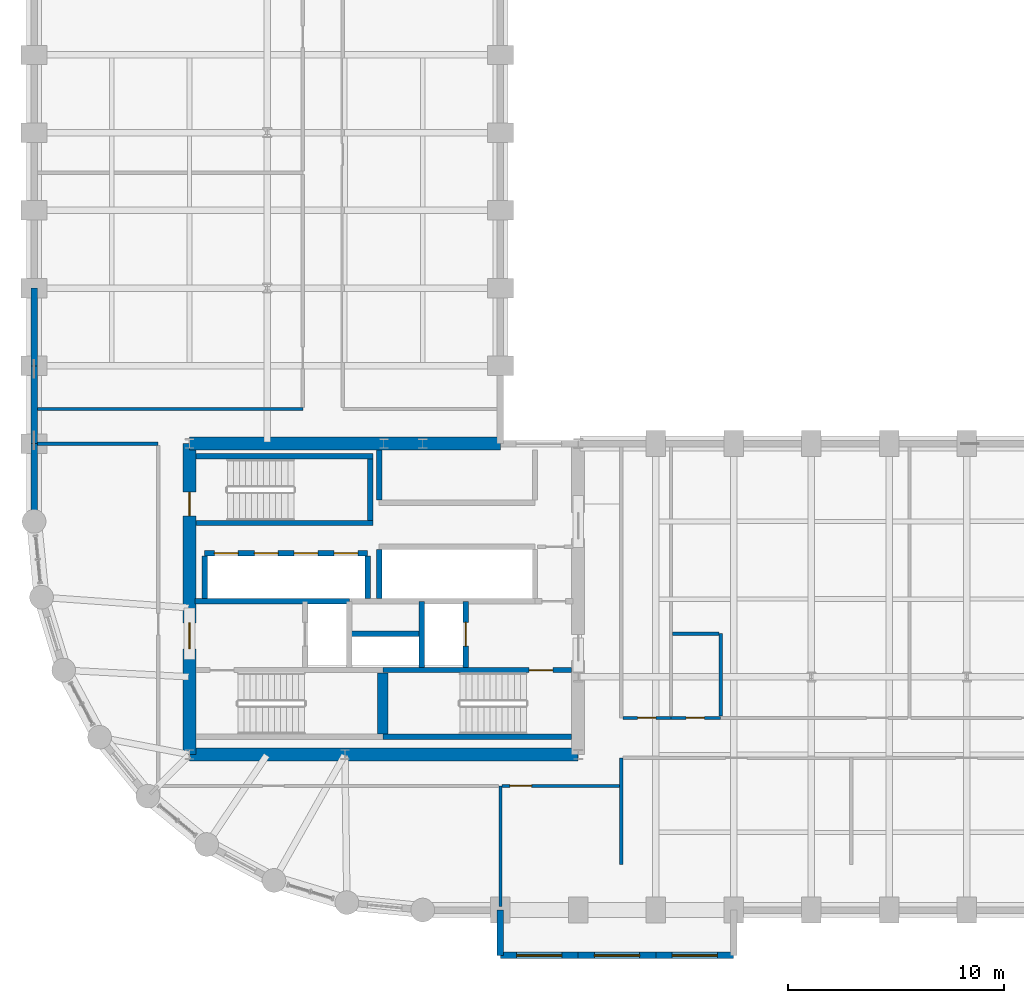
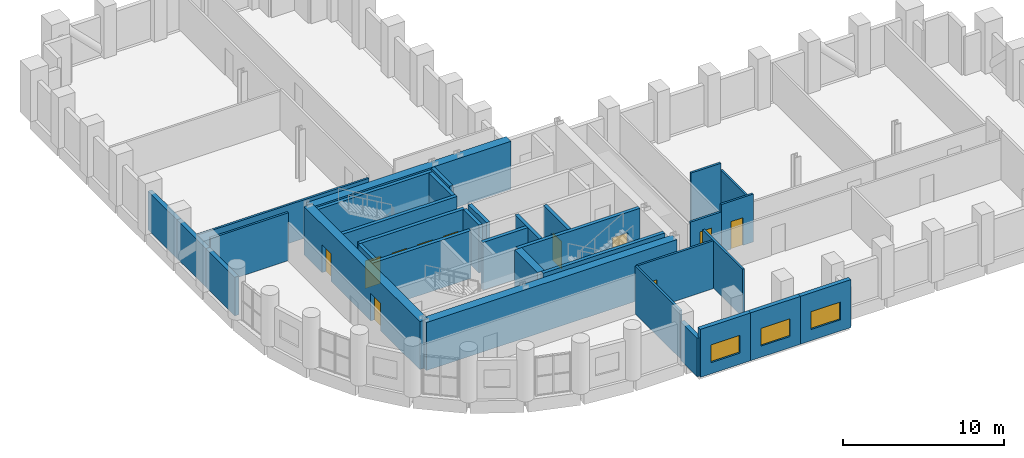
# One storey, part 9 of 12: 34 walls, 11 doors, 3 windows, 14 openings.
"""IFC4 building model written with IfcOpenShell, lengths in metres."""

import ifcopenshell
import ifcopenshell.guid

model = None  # the IFC model being written
_history = None  # IfcOwnerHistory: only IFC2X3 demands one
_inside = {}  # id of a spatial element -> (the spatial element, [elements in it])
_under = {}  # id of a project, library or spatial element -> (it, [spatial elements below it])
_declared = {}  # id of a project -> (the project, [libraries it declares])
_typed = {}  # id of a type object -> (the type object, [elements of that type])
_made_of = {}  # id of a material, layer set ... -> (it, [elements and type objects made of it])


def new_model(schema):
    """Start an empty IFC model of exactly this schema.

    Asked for "IFC4X3", IfcOpenShell would pick the latest addendum, in which some entities
    have other attributes; the version numbers below select the first issue.
    IFC2X3 requires an IfcOwnerHistory on every rooted entity: one is made here for all.
    """
    global model, _history
    if schema == "IFC4X3":
        model = ifcopenshell.file(schema_version=(4, 3, 0, 0))
    else:
        model = ifcopenshell.file(schema=schema)
    _inside.clear()
    _under.clear()
    _declared.clear()
    _typed.clear()
    _made_of.clear()
    _history = None
    if model.schema == "IFC2X3":
        org = make("IfcOrganization", Name="unknown")
        user = make(
            "IfcPersonAndOrganization",
            ThePerson=make("IfcPerson", FamilyName="unknown"),
            TheOrganization=org,
        )
        app = make(
            "IfcApplication",
            ApplicationDeveloper=org,
            Version="unknown",
            ApplicationFullName="unknown",
            ApplicationIdentifier="unknown",
        )
        _history = make(
            "IfcOwnerHistory",
            OwningUser=user,
            OwningApplication=app,
            ChangeAction="ADDED",
            CreationDate=0,
        )
    return model


def make(cls, **values):
    """One entity of the class cls with the attributes given. An attribute that is None is left unset."""
    return model.create_entity(
        cls, **{name: value for name, value in values.items() if value is not None}
    )


def rooted(cls, **values):
    """An entity with a GlobalId (a new one), such as an element, a storey or a relation."""
    return make(cls, GlobalId=ifcopenshell.guid.new(), OwnerHistory=_history, **values)


def si_unit(unit_type, name, prefix=None):
    """IfcSIUnit, for example si_unit("LENGTHUNIT", "METRE", prefix="MILLI")."""
    return make("IfcSIUnit", UnitType=unit_type, Prefix=prefix, Name=name)


def assignment(units):
    """IfcUnitAssignment: the units of a project."""
    return None if units is None else make("IfcUnitAssignment", Units=units)


def point(xyz):
    """IfcCartesianPoint."""
    return None if xyz is None else make("IfcCartesianPoint", Coordinates=xyz)


def direction(xyz):
    """IfcDirection."""
    return None if xyz is None else make("IfcDirection", DirectionRatios=xyz)


def frame(location, z_axis=None, x_axis=None):
    """IfcAxis2Placement3D, a coordinate frame: its origin and axes. An axis left out is left unset."""
    return make(
        "IfcAxis2Placement3D",
        Location=point(location),
        Axis=direction(z_axis),
        RefDirection=direction(x_axis),
    )


def frame_2d(location, x_axis=None):
    """IfcAxis2Placement2D, a coordinate frame in the plane: its origin and x axis."""
    return make(
        "IfcAxis2Placement2D", Location=point(location), RefDirection=direction(x_axis)
    )


def origin():
    """The frame at (0, 0, 0) with its axes left unset."""
    return frame((0.0, 0.0, 0.0))


def place(relative_to, where):
    """IfcLocalPlacement: puts the frame where relative to a parent placement (None: the world)."""
    return make(
        "IfcLocalPlacement", PlacementRelTo=relative_to, RelativePlacement=where
    )


def context(
    kind, dimensions, precision=None, world=None, true_north=None, identifier=None
):
    """IfcGeometricRepresentationContext, for example the 3D "Model" context."""
    return make(
        "IfcGeometricRepresentationContext",
        ContextIdentifier=identifier,
        ContextType=kind,
        CoordinateSpaceDimension=dimensions,
        Precision=precision,
        WorldCoordinateSystem=world,
        TrueNorth=true_north,
    )


def subcontext(parent, identifier, kind, view, scale=None):
    """IfcGeometricRepresentationSubContext, for example "Body" below "Model"."""
    return make(
        "IfcGeometricRepresentationSubContext",
        ContextIdentifier=identifier,
        ContextType=kind,
        ParentContext=parent,
        TargetScale=scale,
        TargetView=view,
    )


def project(units=None, contexts=None):
    """IfcProject with its units and contexts."""
    return rooted(
        "IfcProject",
        Name="project",
        RepresentationContexts=contexts,
        UnitsInContext=assignment(units),
    )


def spatial(cls, under=None, at=None, **own):
    """A site, building, storey or space (cls), placed at a placement, below another one or the project."""
    s = rooted(cls, ObjectPlacement=at, **own)
    if under is not None:
        _under.setdefault(under.id(), (under, []))[1].append(s)
    return s


def profile(cls, at=None, kind="AREA", **sizes):
    """A parametric profile (cls). Its sizes go by their IFC names, for example OverallWidth=200.0."""
    return make(cls, ProfileType=kind, Position=at, **sizes)


def rectangle(**sizes):
    """IfcRectangleProfileDef."""
    return profile("IfcRectangleProfileDef", **sizes)


def extrude(swept, where, along, depth):
    """IfcExtrudedAreaSolid: the profile swept, set in the frame where, extruded along a direction by depth."""
    return make(
        "IfcExtrudedAreaSolid",
        SweptArea=swept,
        Position=where,
        ExtrudedDirection=direction(along),
        Depth=depth,
    )


def shape(context_of_items, identifier, shape_type, items):
    """IfcShapeRepresentation: the items that make up one representation, for example the "Body"."""
    return make(
        "IfcShapeRepresentation",
        ContextOfItems=context_of_items,
        RepresentationIdentifier=identifier,
        RepresentationType=shape_type,
        Items=items,
    )


def material(Name=None, Category=None):
    """IfcMaterial."""
    return make("IfcMaterial", Name=Name, Category=Category)


def layer(
    of_material, thickness, ventilated=None, Name=None, Category=None, Priority=None
):
    """IfcMaterialLayer: one layer of a wall or slab, of a material (None: an air gap)."""
    return make(
        "IfcMaterialLayer",
        Material=of_material,
        LayerThickness=thickness,
        IsVentilated=ventilated,
        Name=Name,
        Category=Category,
        Priority=Priority,
    )


def layer_set(layers, Name=None):
    """IfcMaterialLayerSet."""
    return make("IfcMaterialLayerSet", MaterialLayers=layers, LayerSetName=Name)


def made_of(thing, what):
    """Note that an element or type object is made of a material, layer set ...; save() writes the relation."""
    if what is not None:
        _made_of.setdefault(what.id(), (what, []))[1].append(thing)
    return thing


def type_object(cls, material=None, **own):
    """A type object (cls), such as IfcWallType, which elements share."""
    return made_of(rooted(cls, **own), material)


def element(
    cls,
    number,
    at=None,
    inside=None,
    cuts=None,
    type_object=None,
    material=None,
    context=None,
    identifier="Body",
    shape_type=None,
    held_by="IfcProductDefinitionShape",
    body=None,
    shapes=None,
    **own,
):
    """One element of the class cls, such as IfcWall. Its Tag is "e" and its number.

    at: its placement. inside: the storey or other place that contains it. cuts: it is an
    opening in that element (IfcRelVoidsElement). A single representation is given by context,
    identifier, shape_type and body (its items); several are given by shapes. held_by: the class
    of the entity that holds the representations. save() writes the other relations.
    """
    e = rooted(cls, Tag="e%d" % number, ObjectPlacement=at, **own)
    if body is not None:
        shapes = [shape(context, identifier, shape_type, body)]
    if shapes is not None:
        e.Representation = make(held_by, Representations=shapes)
    if inside is not None:
        _inside.setdefault(inside.id(), (inside, []))[1].append(e)
    if cuts is not None:
        rooted(
            "IfcRelVoidsElement", RelatingBuildingElement=cuts, RelatedOpeningElement=e
        )
    if type_object is not None:
        _typed.setdefault(type_object.id(), (type_object, []))[1].append(e)
    return made_of(e, material)


def fill(opening, filler):
    """IfcRelFillsElement: the door or window that sits in an opening."""
    return rooted(
        "IfcRelFillsElement",
        RelatingOpeningElement=opening,
        RelatedBuildingElement=filler,
    )


def aggregate(whole, parts):
    """IfcRelAggregates: a whole, such as a stair, and the parts it consists of."""
    return rooted("IfcRelAggregates", RelatingObject=whole, RelatedObjects=parts)


def save(model, path):
    """Write the relations noted so far, then the file.

    IfcRelAggregates (storeys below a building ...), IfcRelContainedInSpatialStructure (elements
    in a storey), IfcRelDefinesByType, IfcRelAssociatesMaterial and IfcRelDeclares: one each for
    every whole, place, type object, material and project.
    """
    for whole, parts in _under.values():
        aggregate(whole, parts)
    for where, things in _inside.values():
        rooted(
            "IfcRelContainedInSpatialStructure",
            RelatedElements=things,
            RelatingStructure=where,
        )
    for kind, things in _typed.values():
        rooted("IfcRelDefinesByType", RelatedObjects=things, RelatingType=kind)
    for what, things in _made_of.values():
        rooted("IfcRelAssociatesMaterial", RelatedObjects=things, RelatingMaterial=what)
    for by, libraries in _declared.values():
        rooted("IfcRelDeclares", RelatingContext=by, RelatedDefinitions=libraries)
    model.write(path)


model = new_model("IFC4")

# Units and contexts
model_context = context("Model", 3, precision=1e-05, world=origin(), true_north=direction((0.0, 1.0)))
body_context = subcontext(model_context, "Body", "Model", "MODEL_VIEW")
ifc_project = project(units=[si_unit("LENGTHUNIT", "METRE"), si_unit("AREAUNIT", "SQUARE_METRE"), si_unit("VOLUMEUNIT", "CUBIC_METRE"), si_unit("PLANEANGLEUNIT", "RADIAN"), si_unit("MASSUNIT", "GRAM", prefix="KILO")], contexts=[model_context])

# Site, building, storey
site_placement = place(None, origin())
site = spatial("IfcSite", under=ifc_project, at=site_placement, CompositionType="ELEMENT")
building_placement = place(site_placement, origin())
building = spatial("IfcBuilding", under=site, at=building_placement, Name="Solnavia Interchange Tower", CompositionType="ELEMENT")
storey_placement = place(building_placement, frame((0.0, 0.0, 27.89990234375)))
storey = spatial("IfcBuildingStorey", under=building, at=storey_placement, Name="L06", CompositionType="ELEMENT", Elevation=27.89990234375)

# Wall
ifc_material_1 = material(Name="Concrete C40/50", Category="concrete")
ifc_layer_1 = layer(ifc_material_1, 0.300048828125)
ifc_layer_set_1 = layer_set([ifc_layer_1], Name="Concrete C40/50")
wall_type_1 = type_object("IfcWallType", Name="Wall-ExtSpandrel-300", PredefinedType="STANDARD", material=ifc_layer_set_1)
wall_1_placement = place(storey_placement, frame((28.800048828125, 1.5, 0.0), z_axis=(0.0, 0.0, 1.0), x_axis=(0.0, 1.0, 0.0)))
element("IfcWall", 1, at=wall_1_placement, inside=storey, type_object=wall_type_1, Name="EXW-L06-02 Exterior precast spandrel wall", PredefinedType="STANDARD", context=body_context, shape_type="SweptSolid", body=[
    extrude(rectangle(XDim=2.10009765625, YDim=0.300048828125, at=frame_2d((1.050048828125, 0.0))), origin(), (0.0, 0.0, 1.0), 2.93017578125),
])

# Wall, opening, window
wall_2_placement = place(storey_placement, frame((32.39990234375, 1.5, 0.0), z_axis=(0.0, 0.0, 1.0), x_axis=(-1.0, 0.0, 0.0)))
wall_2 = element("IfcWall", 2, at=wall_2_placement, inside=storey, type_object=wall_type_1, Name="EXW-L06-03 Exterior precast spandrel wall", PredefinedType="STANDARD", context=body_context, shape_type="SweptSolid", body=[
    extrude(rectangle(XDim=3.599853515625, YDim=0.300048828125, at=frame_2d((1.7998046875, 0.0))), origin(), (0.0, 0.0, 1.0), 3.635009765625),
])
opening_1_placement = place(wall_2_placement, frame((0.75, 0.0, 0.85009765625)))
opening_1 = element("IfcOpeningElement", 3, at=opening_1_placement, cuts=wall_2, Name="Opening WIN-01", PredefinedType="OPENING", context=body_context, shape_type="SweptSolid", body=[
    extrude(rectangle(XDim=2.10009765625, YDim=1.35009765625, at=frame_2d((1.050048828125, 0.675048828125))), frame((0.0, 0.16015625, 0.0), z_axis=(0.0, -1.0, 0.0), x_axis=(1.0, 0.0, 0.0)), (0.0, 0.0, 1.0), 0.320068359375),
])
ifc_material_2 = material(Name="Thermal-Break Aluminium & Low-E Glass", Category="aluminium")
window_type = type_object("IfcWindowType", Name="Window-Ribbon-2100x1350", PartitioningType="SINGLE_PANEL", PredefinedType="WINDOW", material=ifc_material_2)
window_1_placement = place(opening_1_placement, origin())
window_1 = element("IfcWindow", 4, at=window_1_placement, inside=storey, type_object=window_type, Name="WIN-L06-03 Facade ribbon window", OverallHeight=1.35009765625, OverallWidth=2.10009765625, PartitioningType="SINGLE_PANEL", PredefinedType="WINDOW", context=body_context, shape_type="SweptSolid", body=[
    extrude(rectangle(XDim=2.10009765625, YDim=1.35009765625, at=frame_2d((1.050048828125, 0.675048828125))), frame((0.0, 0.030029296875, 0.0), z_axis=(0.0, -1.0, 0.0), x_axis=(1.0, 0.0, 0.0)), (0.0, 0.0, 1.0), 0.06005859375),
])
fill(opening_1, window_1)

wall_3_placement = place(storey_placement, frame((36.0, 1.5, 0.0), z_axis=(0.0, 0.0, 1.0), x_axis=(-1.0, 0.0, 0.0)))
wall_3 = element("IfcWall", 5, at=wall_3_placement, inside=storey, type_object=wall_type_1, Name="EXW-L06-04 Exterior precast spandrel wall", PredefinedType="STANDARD", context=body_context, shape_type="SweptSolid", body=[
    extrude(rectangle(XDim=3.60009765625, YDim=0.300048828125, at=frame_2d((1.800048828125, 0.0))), origin(), (0.0, 0.0, 1.0), 3.635009765625),
])
opening_2_placement = place(wall_3_placement, frame((0.75, 0.0, 0.85009765625)))
opening_2 = element("IfcOpeningElement", 6, at=opening_2_placement, cuts=wall_3, Name="Opening WIN-01", PredefinedType="OPENING", context=body_context, shape_type="SweptSolid", body=[
    extrude(rectangle(XDim=2.10009765625, YDim=1.35009765625, at=frame_2d((1.050048828125, 0.675048828125))), frame((0.0, 0.16015625, 0.0), z_axis=(0.0, -1.0, 0.0), x_axis=(1.0, 0.0, 0.0)), (0.0, 0.0, 1.0), 0.320068359375),
])
window_2_placement = place(opening_2_placement, origin())
window_2 = element("IfcWindow", 7, at=window_2_placement, inside=storey, type_object=window_type, Name="WIN-L06-04 Facade ribbon window", OverallHeight=1.35009765625, OverallWidth=2.10009765625, PartitioningType="SINGLE_PANEL", PredefinedType="WINDOW", context=body_context, shape_type="SweptSolid", body=[
    extrude(rectangle(XDim=2.10009765625, YDim=1.35009765625, at=frame_2d((1.050048828125, 0.675048828125))), frame((0.0, 0.030029296875, 0.0), z_axis=(0.0, -1.0, 0.0), x_axis=(1.0, 0.0, 0.0)), (0.0, 0.0, 1.0), 0.06005859375),
])
fill(opening_2, window_2)

wall_4_placement = place(storey_placement, frame((39.60009765625, 1.5, 0.0), z_axis=(0.0, 0.0, 1.0), x_axis=(-1.0, 0.0, 0.0)))
wall_4 = element("IfcWall", 8, at=wall_4_placement, inside=storey, type_object=wall_type_1, Name="EXW-L06-05 Exterior precast spandrel wall", PredefinedType="STANDARD", context=body_context, shape_type="SweptSolid", body=[
    extrude(rectangle(XDim=3.60009765625, YDim=0.300048828125, at=frame_2d((1.800048828125, 0.0))), origin(), (0.0, 0.0, 1.0), 3.635009765625),
])
opening_3_placement = place(wall_4_placement, frame((0.75, 0.0, 0.85009765625)))
opening_3 = element("IfcOpeningElement", 9, at=opening_3_placement, cuts=wall_4, Name="Opening WIN-01", PredefinedType="OPENING", context=body_context, shape_type="SweptSolid", body=[
    extrude(rectangle(XDim=2.10009765625, YDim=1.35009765625, at=frame_2d((1.050048828125, 0.675048828125))), frame((0.0, 0.16015625, 0.0), z_axis=(0.0, -1.0, 0.0), x_axis=(1.0, 0.0, 0.0)), (0.0, 0.0, 1.0), 0.320068359375),
])
window_3_placement = place(opening_3_placement, origin())
window_3 = element("IfcWindow", 10, at=window_3_placement, inside=storey, type_object=window_type, Name="WIN-L06-05 Facade ribbon window", OverallHeight=1.35009765625, OverallWidth=2.10009765625, PartitioningType="SINGLE_PANEL", PredefinedType="WINDOW", context=body_context, shape_type="SweptSolid", body=[
    extrude(rectangle(XDim=2.10009765625, YDim=1.35009765625, at=frame_2d((1.050048828125, 0.675048828125))), frame((0.0, 0.030029296875, 0.0), z_axis=(0.0, -1.0, 0.0), x_axis=(1.0, 0.0, 0.0)), (0.0, 0.0, 1.0), 0.06005859375),
])
fill(opening_3, window_3)

# Walls
wall_5_placement = place(storey_placement, frame((7.199951171875, 28.800048828125, 0.0), z_axis=(0.0, 0.0, 1.0), x_axis=(0.0, 1.0, 0.0)))
element("IfcWall", 11, at=wall_5_placement, inside=storey, type_object=wall_type_1, Name="EXW-L06-54 Exterior precast spandrel wall", PredefinedType="STANDARD", context=body_context, shape_type="SweptSolid", body=[
    extrude(rectangle(XDim=3.599853515625, YDim=0.300048828125, at=frame_2d((1.7998046875, 0.0))), origin(), (0.0, 0.0, 1.0), 2.93017578125),
])
wall_6_placement = place(storey_placement, frame((7.199951171875, 25.199951171875, 0.0), z_axis=(0.0, 0.0, 1.0), x_axis=(0.0, 1.0, 0.0)))
element("IfcWall", 12, at=wall_6_placement, inside=storey, type_object=wall_type_1, Name="EXW-L06-55 Exterior precast spandrel wall", PredefinedType="STANDARD", context=body_context, shape_type="SweptSolid", body=[
    extrude(rectangle(XDim=3.60009765625, YDim=0.300048828125, at=frame_2d((1.800048828125, 0.0))), origin(), (0.0, 0.0, 1.0), 2.93017578125),
])
wall_7_placement = place(storey_placement, frame((7.199951171875, 21.60009765625, 0.0), z_axis=(0.0, 0.0, 1.0), x_axis=(0.0, 1.0, 0.0)))
element("IfcWall", 13, at=wall_7_placement, inside=storey, type_object=wall_type_1, Name="EXW-L06-56 Exterior precast spandrel wall", PredefinedType="STANDARD", context=body_context, shape_type="SweptSolid", body=[
    extrude(rectangle(XDim=3.599853515625, YDim=0.300048828125, at=frame_2d((1.7998046875, 0.0))), origin(), (0.0, 0.0, 1.0), 2.93017578125),
])
ifc_material_3 = material(Name="Gypsum Plasterboard & Steel Stud", Category="steel")
ifc_layer_2 = layer(ifc_material_3, 0.14990234375)
ifc_layer_set_2 = layer_set([ifc_layer_2], Name="Gypsum Plasterboard & Steel Stud")
wall_type_2 = type_object("IfcWallType", Name="Wall-Partition-150", PredefinedType="PARTITIONING", material=ifc_layer_set_2)
wall_8_placement = place(storey_placement, frame((7.35400390625, 25.199951171875, 0.0), z_axis=(0.0, 0.0, 1.0), x_axis=(1.0, 0.0, 0.0)))
element("IfcWall", 14, at=wall_8_placement, inside=storey, type_object=wall_type_2, Name="PTW-L06-07 Interior partition wall", PredefinedType="PARTITIONING", context=body_context, shape_type="SweptSolid", body=[
    extrude(rectangle(XDim=5.595947265625, YDim=0.14990234375, at=frame_2d((2.7978515625, 0.0))), origin(), (0.0, 0.0, 1.0), 3.635009765625),
])
wall_9_placement = place(storey_placement, frame((28.800048828125, 9.35009765625, 0.0), z_axis=(0.0, 0.0, 1.0), x_axis=(0.0, -1.0, 0.0)))
element("IfcWall", 15, at=wall_9_placement, inside=storey, type_object=wall_type_2, Name="PTW-L06-08 Interior partition wall", PredefinedType="PARTITIONING", context=body_context, shape_type="SweptSolid", body=[
    extrude(rectangle(XDim=5.59619140625, YDim=0.14990234375, at=frame_2d((2.798095703125, 0.0))), origin(), (0.0, 0.0, 1.0), 3.635009765625),
])

# Wall, opening, door
wall_10_placement = place(storey_placement, frame((28.87890625, 9.35009765625, 0.0), z_axis=(0.0, 0.0, 1.0), x_axis=(1.0, 0.0, 0.0)))
wall_10 = element("IfcWall", 16, at=wall_10_placement, inside=storey, type_object=wall_type_2, Name="PTW-L06-12 Interior partition wall", PredefinedType="PARTITIONING", context=body_context, shape_type="SweptSolid", body=[
    extrude(rectangle(XDim=5.52099609375, YDim=0.14990234375, at=frame_2d((2.760498046875, 0.0))), origin(), (0.0, 0.0, 1.0), 3.635009765625),
])
opening_4_placement = place(wall_10_placement, frame((0.360107421875, 0.0, 0.0)))
opening_4 = element("IfcOpeningElement", 17, at=opening_4_placement, cuts=wall_10, Name="Opening DR-07", PredefinedType="OPENING", context=body_context, shape_type="SweptSolid", body=[
    extrude(rectangle(XDim=1.0, YDim=2.10009765625, at=frame_2d((0.5, 1.050048828125))), frame((0.0, 0.0849609375, 0.0), z_axis=(0.0, -1.0, 0.0), x_axis=(1.0, 0.0, 0.0)), (0.0, 0.0, 1.0), 0.169921875),
])
ifc_material_4 = material(Name="Timber & Acoustic Glazed Office Door", Category="wood")
door_type_1 = type_object("IfcDoorType", Name="Door-Office-1000x2100", OperationType="SINGLE_SWING_RIGHT", PredefinedType="DOOR", material=ifc_material_4)
door_1_placement = place(opening_4_placement, origin())
door_1 = element("IfcDoor", 18, at=door_1_placement, inside=storey, type_object=door_type_1, Name="DR-L06-05 Interior room door", OperationType="SINGLE_SWING_LEFT", OverallHeight=2.10009765625, OverallWidth=1.0, PredefinedType="DOOR", context=body_context, shape_type="SweptSolid", body=[
    extrude(rectangle(XDim=1.0, YDim=2.10009765625, at=frame_2d((0.5, 1.050048828125))), frame((0.0, 0.02490234375, 0.0), z_axis=(0.0, -1.0, 0.0), x_axis=(1.0, 0.0, 0.0)), (0.0, 0.0, 1.0), 0.050048828125),
])
fill(opening_4, door_1)

# Walls
wall_11_placement = place(storey_placement, frame((34.39990234375, 5.699951171875, 0.0), z_axis=(0.0, 0.0, 1.0), x_axis=(0.0, 1.0, 0.0)))
element("IfcWall", 19, at=wall_11_placement, inside=storey, type_object=wall_type_2, Name="PTW-L06-13 Interior partition wall", PredefinedType="PARTITIONING", context=body_context, shape_type="SweptSolid", body=[
    extrude(rectangle(XDim=4.949951171875, YDim=0.14990234375, at=frame_2d((2.47509765625, 0.0))), origin(), (0.0, 0.0, 1.0), 3.635009765625),
])
wall_12_placement = place(storey_placement, frame((7.35400390625, 26.800048828125, 0.0), z_axis=(0.0, 0.0, 1.0), x_axis=(1.0, 0.0, 0.0)))
element("IfcWall", 20, at=wall_12_placement, inside=storey, type_object=wall_type_2, Name="PTW-L06-23 Interior partition wall", PredefinedType="PARTITIONING", context=body_context, shape_type="SweptSolid", body=[
    extrude(rectangle(XDim=12.2958984375, YDim=0.14990234375, at=frame_2d((6.14794921875, 0.0))), origin(), (0.0, 0.0, 1.0), 2.93017578125),
])
ifc_layer_3 = layer(ifc_material_1, 0.25)
ifc_layer_set_3 = layer_set([ifc_layer_3], Name="Concrete C40/50")
wall_type_3 = type_object("IfcWallType", Name="Wall-ShaftCore-250", PredefinedType="SHEAR", material=ifc_layer_set_3)
wall_13_placement = place(storey_placement, frame((23.35009765625, 11.625, 0.0), z_axis=(0.0, 0.0, 1.0), x_axis=(1.0, 0.0, 0.0)))
element("IfcWall", 21, at=wall_13_placement, inside=storey, type_object=wall_type_3, Name="SHW-L06-ST2S Core shear wall", PredefinedType="SHEAR", context=body_context, shape_type="SweptSolid", body=[
    extrude(rectangle(XDim=8.75, YDim=0.25, at=frame_2d((4.375, 0.0))), origin(), (0.0, 0.0, 1.0), 3.650146484375),
])

# Wall, opening, door
wall_14_placement = place(storey_placement, frame((23.35009765625, 14.715087890625, 0.0), z_axis=(0.0, 0.0, 1.0), x_axis=(1.0, 0.0, 0.0)))
wall_14 = element("IfcWall", 22, at=wall_14_placement, inside=storey, type_object=wall_type_3, Name="SHW-L06-ST2N Core shear wall", PredefinedType="SHEAR", context=body_context, shape_type="SweptSolid", body=[
    extrude(rectangle(XDim=8.75, YDim=0.25, at=frame_2d((4.375, 0.0))), origin(), (0.0, 0.0, 1.0), 3.650146484375),
])
opening_5_placement = place(wall_14_placement, frame((6.77490234375, 0.0, 0.0)))
opening_5 = element("IfcOpeningElement", 23, at=opening_5_placement, cuts=wall_14, Name="Opening DR-01", PredefinedType="OPENING", context=body_context, shape_type="SweptSolid", body=[
    extrude(rectangle(XDim=1.10009765625, YDim=2.10009765625, at=frame_2d((0.550048828125, 1.050048828125))), frame((0.0, 0.135009765625, 0.0), z_axis=(0.0, -1.0, 0.0), x_axis=(1.0, 0.0, 0.0)), (0.0, 0.0, 1.0), 0.27001953125),
])
ifc_material_5 = material(Name="Steel Fire-Rated Leaf & Frame", Category="steel")
door_type_2 = type_object("IfcDoorType", Name="Door-StairFire-1100x2100", OperationType="SINGLE_SWING_LEFT", PredefinedType="DOOR", material=ifc_material_5)
door_2_placement = place(opening_5_placement, origin())
door_2 = element("IfcDoor", 24, at=door_2_placement, inside=storey, type_object=door_type_2, Name="DR-L06-ST2 Core fire door", OperationType="SINGLE_SWING_LEFT", OverallHeight=2.10009765625, OverallWidth=1.10009765625, PredefinedType="DOOR", context=body_context, shape_type="SweptSolid", body=[
    extrude(rectangle(XDim=1.10009765625, YDim=2.10009765625, at=frame_2d((0.550048828125, 1.050048828125))), frame((0.0, 0.02490234375, 0.0), z_axis=(0.0, -1.0, 0.0), x_axis=(1.0, 0.0, 0.0)), (0.0, 0.0, 1.0), 0.050048828125),
])
fill(opening_5, door_2)

# Walls
for number, where, z_axis, x_axis, name in (
    (25, (14.699951171875, 21.52490234375, 0.0), (0.0, 0.0, 1.0), (1.0, 0.0, 0.0), "SHW-L06-ST3S Core shear wall"),
    (26, (14.699951171875, 24.614990234375, 0.0), (0.0, 0.0, 1.0), (1.0, 0.0, 0.0), "SHW-L06-ST3N Core shear wall"),
):
    element("IfcWall", number, at=place(storey_placement, frame(where, z_axis=z_axis, x_axis=x_axis)), inside=storey, type_object=wall_type_3, Name=name, PredefinedType="SHEAR", context=body_context, shape_type="SweptSolid", body=[
        extrude(rectangle(XDim=8.199951171875, YDim=0.25, at=frame_2d((4.10009765625, 0.0))), origin(), (0.0, 0.0, 1.0), 3.650146484375),
    ])
wall_15_placement = place(storey_placement, frame((22.77490234375, 21.64990234375, 0.0), z_axis=(0.0, 0.0, 1.0), x_axis=(0.0, 1.0, 0.0)))
element("IfcWall", 27, at=wall_15_placement, inside=storey, type_object=wall_type_3, Name="SHW-L06-ST3E Core shear wall", PredefinedType="SHEAR", context=body_context, shape_type="SweptSolid", body=[
    extrude(rectangle(XDim=2.840087890625, YDim=0.25, at=frame_2d((1.419921875, 0.0))), origin(), (0.0, 0.0, 1.0), 3.650146484375),
])
ifc_layer_4 = layer(ifc_material_1, 0.25)
ifc_layer_set_4 = layer_set([ifc_layer_4], Name="Concrete C40/50")
wall_type_4 = type_object("IfcWallType", Name="Wall-ShaftPart-250", PredefinedType="PARTITIONING", material=ifc_layer_set_4)
wall_16_placement = place(storey_placement, frame((14.64990234375, 17.89990234375, 0.0), z_axis=(0.0, 0.0, 1.0), x_axis=(1.0, 0.0, 0.0)))
element("IfcWall", 28, at=wall_16_placement, inside=storey, type_object=wall_type_4, Name="SHW-L06-FFLW-N Core shaft wall", PredefinedType="PARTITIONING", context=body_context, shape_type="SweptSolid", body=[
    extrude(rectangle(XDim=7.150146484375, YDim=0.25, at=frame_2d((3.5751953125, 0.0))), origin(), (0.0, 0.0, 1.0), 3.635009765625),
])
wall_17_placement = place(storey_placement, frame((25.14990234375, 14.840087890625, 0.0), z_axis=(0.0, 0.0, 1.0), x_axis=(0.0, 1.0, 0.0)))
element("IfcWall", 29, at=wall_17_placement, inside=storey, type_object=wall_type_4, Name="SHW-L06-FFL2-W Core shaft wall", PredefinedType="PARTITIONING", context=body_context, shape_type="SweptSolid", body=[
    extrude(rectangle(XDim=3.059814453125, YDim=0.25, at=frame_2d((1.52978515625, 0.0))), origin(), (0.0, 0.0, 1.0), 3.635009765625),
])

# Wall, opening, door
wall_18_placement = place(storey_placement, frame((27.199951171875, 14.840087890625, 0.0), z_axis=(0.0, 0.0, 1.0), x_axis=(0.0, 1.0, 0.0)))
wall_18 = element("IfcWall", 30, at=wall_18_placement, inside=storey, type_object=wall_type_4, Name="SHW-L06-FFL2-E Core shaft wall", PredefinedType="PARTITIONING", context=body_context, shape_type="SweptSolid", body=[
    extrude(rectangle(XDim=3.059814453125, YDim=0.25, at=frame_2d((1.52978515625, 0.0))), origin(), (0.0, 0.0, 1.0), 3.635009765625),
])
opening_6_placement = place(wall_18_placement, frame((0.97998046875, 0.0, 0.0)))
opening_6 = element("IfcOpeningElement", 31, at=opening_6_placement, cuts=wall_18, Name="Opening LD-01", PredefinedType="OPENING", context=body_context, shape_type="SweptSolid", body=[
    extrude(rectangle(XDim=1.10009765625, YDim=2.10009765625, at=frame_2d((0.550048828125, 1.050048828125))), frame((0.0, 0.135009765625, 0.0), z_axis=(0.0, -1.0, 0.0), x_axis=(1.0, 0.0, 0.0)), (0.0, 0.0, 1.0), 0.27001953125),
])
ifc_material_6 = material(Name="Brushed Stainless Steel Sliding Door", Category="steel")
door_type_3 = type_object("IfcDoorType", Name="Door-LiftLanding-1100x2100", OperationType="SLIDING_TO_LEFT", PredefinedType="DOOR", material=ifc_material_6)
door_3_placement = place(opening_6_placement, origin())
door_3 = element("IfcDoor", 32, at=door_3_placement, inside=storey, type_object=door_type_3, Name="LD-L06-FFL2 Lift landing sliding door", OperationType="SLIDING_TO_LEFT", OverallHeight=2.10009765625, OverallWidth=1.10009765625, PredefinedType="DOOR", context=body_context, shape_type="SweptSolid", body=[
    extrude(rectangle(XDim=1.10009765625, YDim=2.10009765625, at=frame_2d((0.550048828125, 1.050048828125))), frame((0.0, 0.02490234375, 0.0), z_axis=(0.0, -1.0, 0.0), x_axis=(1.0, 0.0, 0.0)), (0.0, 0.0, 1.0), 0.050048828125),
])
fill(opening_6, door_3)

# Wall
wall_19_placement = place(storey_placement, frame((21.800048828125, 16.39990234375, 0.0), z_axis=(0.0, 0.0, 1.0), x_axis=(1.0, 0.0, 0.0)))
element("IfcWall", 33, at=wall_19_placement, inside=storey, type_object=wall_type_4, Name="SHW-L06-MEP-N Core shaft wall", PredefinedType="PARTITIONING", context=body_context, shape_type="SweptSolid", body=[
    extrude(rectangle(XDim=3.349853515625, YDim=0.25, at=frame_2d((1.6748046875, 0.0))), origin(), (0.0, 0.0, 1.0), 3.635009765625),
])

# Wall, openings, doors
wall_20_placement = place(storey_placement, frame((15.10009765625, 20.125, 0.0), z_axis=(0.0, 0.0, 1.0), x_axis=(1.0, 0.0, 0.0)))
wall_20 = element("IfcWall", 34, at=wall_20_placement, inside=storey, type_object=wall_type_4, Name="SHW-L06-B1N Core shaft wall", PredefinedType="PARTITIONING", context=body_context, shape_type="SweptSolid", body=[
    extrude(rectangle(XDim=7.5498046875, YDim=0.25, at=frame_2d((3.77490234375, 0.0))), origin(), (0.0, 0.0, 1.0), 3.635009765625),
])
opening_7_placement = place(wall_20_placement, frame((0.449951171875, 0.0, 0.0)))
opening_7 = element("IfcOpeningElement", 35, at=opening_7_placement, cuts=wall_20, Name="Opening LD-01", PredefinedType="OPENING", context=body_context, shape_type="SweptSolid", body=[
    extrude(rectangle(XDim=1.10009765625, YDim=2.10009765625, at=frame_2d((0.550048828125, 1.050048828125))), frame((0.0, 0.135009765625, 0.0), z_axis=(0.0, -1.0, 0.0), x_axis=(1.0, 0.0, 0.0)), (0.0, 0.0, 1.0), 0.27001953125),
])
opening_8_placement = place(wall_20_placement, frame((2.300048828125, 0.0, 0.0)))
opening_8 = element("IfcOpeningElement", 36, at=opening_8_placement, cuts=wall_20, Name="Opening LD-01", PredefinedType="OPENING", context=body_context, shape_type="SweptSolid", body=[
    extrude(rectangle(XDim=1.10009765625, YDim=2.10009765625, at=frame_2d((0.550048828125, 1.050048828125))), frame((0.0, 0.135009765625, 0.0), z_axis=(0.0, -1.0, 0.0), x_axis=(1.0, 0.0, 0.0)), (0.0, 0.0, 1.0), 0.27001953125),
])
opening_9_placement = place(wall_20_placement, frame((4.14990234375, 0.0, 0.0)))
opening_9 = element("IfcOpeningElement", 37, at=opening_9_placement, cuts=wall_20, Name="Opening LD-01", PredefinedType="OPENING", context=body_context, shape_type="SweptSolid", body=[
    extrude(rectangle(XDim=1.10009765625, YDim=2.10009765625, at=frame_2d((0.550048828125, 1.050048828125))), frame((0.0, 0.135009765625, 0.0), z_axis=(0.0, -1.0, 0.0), x_axis=(1.0, 0.0, 0.0)), (0.0, 0.0, 1.0), 0.27001953125),
])
opening_10_placement = place(wall_20_placement, frame((6.0, 0.0, 0.0)))
opening_10 = element("IfcOpeningElement", 38, at=opening_10_placement, cuts=wall_20, Name="Opening LD-01", PredefinedType="OPENING", context=body_context, shape_type="SweptSolid", body=[
    extrude(rectangle(XDim=1.10009765625, YDim=2.10009765625, at=frame_2d((0.550048828125, 1.050048828125))), frame((0.0, 0.135009765625, 0.0), z_axis=(0.0, -1.0, 0.0), x_axis=(1.0, 0.0, 0.0)), (0.0, 0.0, 1.0), 0.27001953125),
])
door_4_placement = place(opening_7_placement, origin())
door_4 = element("IfcDoor", 39, at=door_4_placement, inside=storey, type_object=door_type_3, Name="LD-L06-B1-1 Lift landing sliding door", OperationType="SLIDING_TO_LEFT", OverallHeight=2.10009765625, OverallWidth=1.10009765625, PredefinedType="DOOR", context=body_context, shape_type="SweptSolid", body=[
    extrude(rectangle(XDim=1.10009765625, YDim=2.10009765625, at=frame_2d((0.550048828125, 1.050048828125))), frame((0.0, 0.02490234375, 0.0), z_axis=(0.0, -1.0, 0.0), x_axis=(1.0, 0.0, 0.0)), (0.0, 0.0, 1.0), 0.050048828125),
])
fill(opening_7, door_4)
door_5_placement = place(opening_8_placement, origin())
door_5 = element("IfcDoor", 40, at=door_5_placement, inside=storey, type_object=door_type_3, Name="LD-L06-B1-2 Lift landing sliding door", OperationType="SLIDING_TO_LEFT", OverallHeight=2.10009765625, OverallWidth=1.10009765625, PredefinedType="DOOR", context=body_context, shape_type="SweptSolid", body=[
    extrude(rectangle(XDim=1.10009765625, YDim=2.10009765625, at=frame_2d((0.550048828125, 1.050048828125))), frame((0.0, 0.02490234375, 0.0), z_axis=(0.0, -1.0, 0.0), x_axis=(1.0, 0.0, 0.0)), (0.0, 0.0, 1.0), 0.050048828125),
])
fill(opening_8, door_5)
door_6_placement = place(opening_9_placement, origin())
door_6 = element("IfcDoor", 41, at=door_6_placement, inside=storey, type_object=door_type_3, Name="LD-L06-B1-3 Lift landing sliding door", OperationType="SLIDING_TO_LEFT", OverallHeight=2.10009765625, OverallWidth=1.10009765625, PredefinedType="DOOR", context=body_context, shape_type="SweptSolid", body=[
    extrude(rectangle(XDim=1.10009765625, YDim=2.10009765625, at=frame_2d((0.550048828125, 1.050048828125))), frame((0.0, 0.02490234375, 0.0), z_axis=(0.0, -1.0, 0.0), x_axis=(1.0, 0.0, 0.0)), (0.0, 0.0, 1.0), 0.050048828125),
])
fill(opening_9, door_6)
door_7_placement = place(opening_10_placement, origin())
door_7 = element("IfcDoor", 42, at=door_7_placement, inside=storey, type_object=door_type_3, Name="LD-L06-B1-4 Lift landing sliding door", OperationType="SLIDING_TO_LEFT", OverallHeight=2.10009765625, OverallWidth=1.10009765625, PredefinedType="DOOR", context=body_context, shape_type="SweptSolid", body=[
    extrude(rectangle(XDim=1.10009765625, YDim=2.10009765625, at=frame_2d((0.550048828125, 1.050048828125))), frame((0.0, 0.02490234375, 0.0), z_axis=(0.0, -1.0, 0.0), x_axis=(1.0, 0.0, 0.0)), (0.0, 0.0, 1.0), 0.050048828125),
])
fill(opening_10, door_7)

# Walls
for number, where, z_axis, x_axis, name in (
    (43, (15.10009765625, 18.02490234375, 0.0), (0.0, 0.0, 1.0), (0.0, 1.0, 0.0), "SHW-L06-B1W Core shaft wall"),
    (44, (22.64990234375, 18.02490234375, 0.0), (0.0, 0.0, 1.0), (0.0, 1.0, 0.0), "SHW-L06-B1E Core shaft wall"),
):
    element("IfcWall", number, at=place(storey_placement, frame(where, z_axis=z_axis, x_axis=x_axis)), inside=storey, type_object=wall_type_4, Name=name, PredefinedType="PARTITIONING", context=body_context, shape_type="SweptSolid", body=[
        extrude(rectangle(XDim=1.97509765625, YDim=0.25, at=frame_2d((0.987548828125, 0.0))), origin(), (0.0, 0.0, 1.0), 3.635009765625),
    ])
wall_21_placement = place(storey_placement, frame((23.179931640625, 18.02490234375, 0.0), z_axis=(0.0, 0.0, 1.0), x_axis=(0.0, 1.0, 0.0)))
element("IfcWall", 45, at=wall_21_placement, inside=storey, type_object=wall_type_4, Name="SHW-L06-B2W Core shaft wall", PredefinedType="PARTITIONING", context=body_context, shape_type="SweptSolid", body=[
    extrude(rectangle(XDim=2.27001953125, YDim=0.25, at=frame_2d((1.135009765625, 0.0))), origin(), (0.0, 0.0, 1.0), 3.635009765625),
])
wall_22_placement = place(storey_placement, frame((23.179931640625, 22.5849609375, 0.0), z_axis=(0.0, 0.0, 1.0), x_axis=(0.0, 1.0, 0.0)))
element("IfcWall", 46, at=wall_22_placement, inside=storey, type_object=wall_type_4, Name="SHW-L06-B3W Core shaft wall", PredefinedType="PARTITIONING", context=body_context, shape_type="SweptSolid", body=[
    extrude(rectangle(XDim=2.31494140625, YDim=0.25, at=frame_2d((1.157470703125, 0.0))), origin(), (0.0, 0.0, 1.0), 3.635009765625),
])
ifc_material_7 = material(Name="Concrete C60/75", Category="concrete")
ifc_layer_5 = layer(ifc_material_7, 0.5)
ifc_layer_set_5 = layer_set([ifc_layer_5], Name="Concrete C60/75")
wall_type_5 = type_object("IfcWallType", Name="Wall-ShearCore-500", PredefinedType="SHEAR", material=ifc_layer_set_5)
wall_23_placement = place(storey_placement, frame((23.35009765625, 11.75, 0.0), z_axis=(0.0, 0.0, 1.0), x_axis=(0.0, 1.0, 0.0)))
element("IfcWall", 47, at=wall_23_placement, inside=storey, type_object=wall_type_5, Name="SHW-L06-ST12M Core shear wall", PredefinedType="SHEAR", context=body_context, shape_type="SweptSolid", body=[
    extrude(rectangle(XDim=2.840087890625, YDim=0.5, at=frame_2d((1.419921875, 0.0))), origin(), (0.0, 0.0, 1.0), 3.650146484375),
])
ifc_layer_6 = layer(ifc_material_7, 0.60009765625)
ifc_layer_set_6 = layer_set([ifc_layer_6], Name="Concrete C60/75")
wall_type_6 = type_object("IfcWallType", Name="Wall-ShearCore-600", PredefinedType="SHEAR", material=ifc_layer_set_6)
wall_24_placement = place(storey_placement, frame((14.39990234375, 10.800048828125, 0.0), z_axis=(0.0, 0.0, 1.0), x_axis=(1.0, 0.0, 0.0)))
element("IfcWall", 48, at=wall_24_placement, inside=storey, type_object=wall_type_6, Name="CRW-L06-S Core shear wall", PredefinedType="SHEAR", context=body_context, shape_type="SweptSolid", body=[
    extrude(rectangle(XDim=18.0, YDim=0.60009765625, at=frame_2d((9.0, 0.0))), origin(), (0.0, 0.0, 1.0), 3.650146484375),
])
wall_25_placement = place(storey_placement, frame((14.39990234375, 25.199951171875, 0.0), z_axis=(0.0, 0.0, 1.0), x_axis=(1.0, 0.0, 0.0)))
element("IfcWall", 49, at=wall_25_placement, inside=storey, type_object=wall_type_6, Name="CRW-L06-N Core shear wall", PredefinedType="SHEAR", context=body_context, shape_type="SweptSolid", body=[
    extrude(rectangle(XDim=14.400146484375, YDim=0.60009765625, at=frame_2d((7.2001953125, 0.0))), origin(), (0.0, 0.0, 1.0), 3.650146484375),
])

# Wall, openings, doors
wall_26_placement = place(storey_placement, frame((14.39990234375, 10.800048828125, 0.0), z_axis=(0.0, 0.0, 1.0), x_axis=(0.0, 1.0, 0.0)))
wall_26 = element("IfcWall", 50, at=wall_26_placement, inside=storey, type_object=wall_type_6, Name="CRW-L06-W Core shear wall", PredefinedType="SHEAR", context=body_context, shape_type="SweptSolid", body=[
    extrude(rectangle(XDim=14.39990234375, YDim=0.60009765625, at=frame_2d((7.199951171875, 0.0))), origin(), (0.0, 0.0, 1.0), 3.650146484375),
])
opening_11_placement = place(wall_26_placement, frame((11.050048828125, 0.0, 0.0)))
opening_11 = element("IfcOpeningElement", 51, at=opening_11_placement, cuts=wall_26, Name="Opening DR-01", PredefinedType="OPENING", context=body_context, shape_type="SweptSolid", body=[
    extrude(rectangle(XDim=1.10009765625, YDim=2.10009765625, at=frame_2d((0.550048828125, 1.050048828125))), frame((0.0, 0.31005859375, 0.0), z_axis=(0.0, -1.0, 0.0), x_axis=(1.0, 0.0, 0.0)), (0.0, 0.0, 1.0), 0.6201171875),
])
opening_12_placement = place(wall_26_placement, frame((4.89990234375, 0.0, 0.0)))
opening_12 = element("IfcOpeningElement", 52, at=opening_12_placement, cuts=wall_26, Name="Opening DR-02", PredefinedType="OPENING", context=body_context, shape_type="SweptSolid", body=[
    extrude(rectangle(XDim=1.199951171875, YDim=2.10009765625, at=frame_2d((0.60009765625, 1.050048828125))), frame((0.0, 0.31005859375, 0.0), z_axis=(0.0, -1.0, 0.0), x_axis=(1.0, 0.0, 0.0)), (0.0, 0.0, 1.0), 0.6201171875),
])
ifc_material_8 = material(Name="Steel Fire-Rated Vision-Panel Door", Category="steel")
door_type_4 = type_object("IfcDoorType", Name="Door-LobbyFire-1200x2100", OperationType="SINGLE_SWING_RIGHT", PredefinedType="DOOR", material=ifc_material_8)
door_8_placement = place(opening_12_placement, origin())
door_8 = element("IfcDoor", 53, at=door_8_placement, inside=storey, type_object=door_type_4, Name="DR-L06-FFL1W Core fire door", OperationType="SINGLE_SWING_RIGHT", OverallHeight=2.10009765625, OverallWidth=1.199951171875, PredefinedType="DOOR", context=body_context, shape_type="SweptSolid", body=[
    extrude(rectangle(XDim=1.199951171875, YDim=2.10009765625, at=frame_2d((0.60009765625, 1.050048828125))), frame((0.0, 0.02490234375, 0.0), z_axis=(0.0, -1.0, 0.0), x_axis=(1.0, 0.0, 0.0)), (0.0, 0.0, 1.0), 0.050048828125),
])
fill(opening_12, door_8)
door_9_placement = place(opening_11_placement, origin())
door_9 = element("IfcDoor", 54, at=door_9_placement, inside=storey, type_object=door_type_2, Name="DR-L06-ST3 Core fire door", OperationType="SINGLE_SWING_RIGHT", OverallHeight=2.10009765625, OverallWidth=1.10009765625, PredefinedType="DOOR", context=body_context, shape_type="SweptSolid", body=[
    extrude(rectangle(XDim=1.10009765625, YDim=2.10009765625, at=frame_2d((0.550048828125, 1.050048828125))), frame((0.0, 0.02490234375, 0.0), z_axis=(0.0, -1.0, 0.0), x_axis=(1.0, 0.0, 0.0)), (0.0, 0.0, 1.0), 0.050048828125),
])
fill(opening_11, door_9)

# Wall, opening, door
ifc_material_9 = material(Name="Moisture-Resistant Gypsum & Steel Stud", Category="steel")
ifc_layer_7 = layer(ifc_material_9, 0.14990234375)
ifc_layer_set_7 = layer_set([ifc_layer_7], Name="Moisture-Resistant Gypsum & Steel Stud")
wall_type_7 = type_object("IfcWallType", Name="Wall-WetRoom-150", PredefinedType="PARTITIONING", material=ifc_layer_set_7)
wall_27_placement = place(storey_placement, frame((34.47900390625, 12.5, 0.0), z_axis=(0.0, 0.0, 1.0), x_axis=(1.0, 0.0, 0.0)))
wall_27 = element("IfcWall", 55, at=wall_27_placement, inside=storey, type_object=wall_type_7, Name="PTW-L06-02 Interior partition wall", PredefinedType="PARTITIONING", context=body_context, shape_type="SweptSolid", body=[
    extrude(rectangle(XDim=2.220947265625, YDim=0.14990234375, at=frame_2d((1.1103515625, 0.0))), origin(), (0.0, 0.0, 1.0), 3.080078125),
])
opening_13_placement = place(wall_27_placement, frame((0.674072265625, 0.0, 0.0)))
opening_13 = element("IfcOpeningElement", 56, at=opening_13_placement, cuts=wall_27, Name="Opening DR-10", PredefinedType="OPENING", context=body_context, shape_type="SweptSolid", body=[
    extrude(rectangle(XDim=0.85009765625, YDim=2.10009765625, at=frame_2d((0.425048828125, 1.050048828125))), frame((0.0, 0.0849609375, 0.0), z_axis=(0.0, -1.0, 0.0), x_axis=(1.0, 0.0, 0.0)), (0.0, 0.0, 1.0), 0.169921875),
])
ifc_material_10 = material(Name="Moisture-Resistant Timber Door", Category="wood")
door_type_5 = type_object("IfcDoorType", Name="Door-Bathroom-850x2100", OperationType="SINGLE_SWING_RIGHT", PredefinedType="DOOR", material=ifc_material_10)
door_10_placement = place(opening_13_placement, origin())
door_10 = element("IfcDoor", 57, at=door_10_placement, inside=storey, type_object=door_type_5, Name="DR-L06-01 Interior room door", OperationType="SINGLE_SWING_RIGHT", OverallHeight=2.10009765625, OverallWidth=0.85009765625, PredefinedType="DOOR", context=body_context, shape_type="SweptSolid", body=[
    extrude(rectangle(XDim=0.85009765625, YDim=2.10009765625, at=frame_2d((0.425048828125, 1.050048828125))), frame((0.0, 0.02490234375, 0.0), z_axis=(0.0, -1.0, 0.0), x_axis=(1.0, 0.0, 0.0)), (0.0, 0.0, 1.0), 0.050048828125),
])
fill(opening_13, door_10)

wall_28_placement = place(storey_placement, frame((36.699951171875, 12.5, 0.0), z_axis=(0.0, 0.0, 1.0), x_axis=(1.0, 0.0, 0.0)))
wall_28 = element("IfcWall", 58, at=wall_28_placement, inside=storey, type_object=wall_type_7, Name="PTW-L06-04 Interior partition wall", PredefinedType="PARTITIONING", context=body_context, shape_type="SweptSolid", body=[
    extrude(rectangle(XDim=2.300048828125, YDim=0.14990234375, at=frame_2d((1.14990234375, 0.0))), origin(), (0.0, 0.0, 1.0), 3.635009765625),
])
opening_14_placement = place(wall_28_placement, frame((0.697021484375, 0.0, 0.0)))
opening_14 = element("IfcOpeningElement", 59, at=opening_14_placement, cuts=wall_28, Name="Opening DR-10", PredefinedType="OPENING", context=body_context, shape_type="SweptSolid", body=[
    extrude(rectangle(XDim=0.85009765625, YDim=2.10009765625, at=frame_2d((0.425048828125, 1.050048828125))), frame((0.0, 0.0849609375, 0.0), z_axis=(0.0, -1.0, 0.0), x_axis=(1.0, 0.0, 0.0)), (0.0, 0.0, 1.0), 0.169921875),
])
door_11_placement = place(opening_14_placement, origin())
door_11 = element("IfcDoor", 60, at=door_11_placement, inside=storey, type_object=door_type_5, Name="DR-L06-02 Interior room door", OperationType="SINGLE_SWING_RIGHT", OverallHeight=2.10009765625, OverallWidth=0.85009765625, PredefinedType="DOOR", context=body_context, shape_type="SweptSolid", body=[
    extrude(rectangle(XDim=0.85009765625, YDim=2.10009765625, at=frame_2d((0.425048828125, 1.050048828125))), frame((0.0, 0.02490234375, 0.0), z_axis=(0.0, -1.0, 0.0), x_axis=(1.0, 0.0, 0.0)), (0.0, 0.0, 1.0), 0.050048828125),
])
fill(opening_14, door_11)

# Walls
wall_29_placement = place(storey_placement, frame((39.0, 12.5791015625, 0.0), z_axis=(0.0, 0.0, 1.0), x_axis=(0.0, 1.0, 0.0)))
element("IfcWall", 61, at=wall_29_placement, inside=storey, type_object=wall_type_7, Name="PTW-L06-05 Interior partition wall", PredefinedType="PARTITIONING", context=body_context, shape_type="SweptSolid", body=[
    extrude(rectangle(XDim=3.82080078125, YDim=0.14990234375, at=frame_2d((1.910400390625, 0.0))), origin(), (0.0, 0.0, 1.0), 3.080078125),
])
wall_30_placement = place(storey_placement, frame((36.779052734375, 16.39990234375, 0.0), z_axis=(0.0, 0.0, 1.0), x_axis=(1.0, 0.0, 0.0)))
element("IfcWall", 62, at=wall_30_placement, inside=storey, type_object=wall_type_7, Name="PTW-L06-06 Interior partition wall", PredefinedType="PARTITIONING", context=body_context, shape_type="SweptSolid", body=[
    extrude(rectangle(XDim=2.141845703125, YDim=0.14990234375, at=frame_2d((1.07080078125, 0.0))), origin(), (0.0, 0.0, 1.0), 3.635009765625),
])

save(model, "model.ifc")
